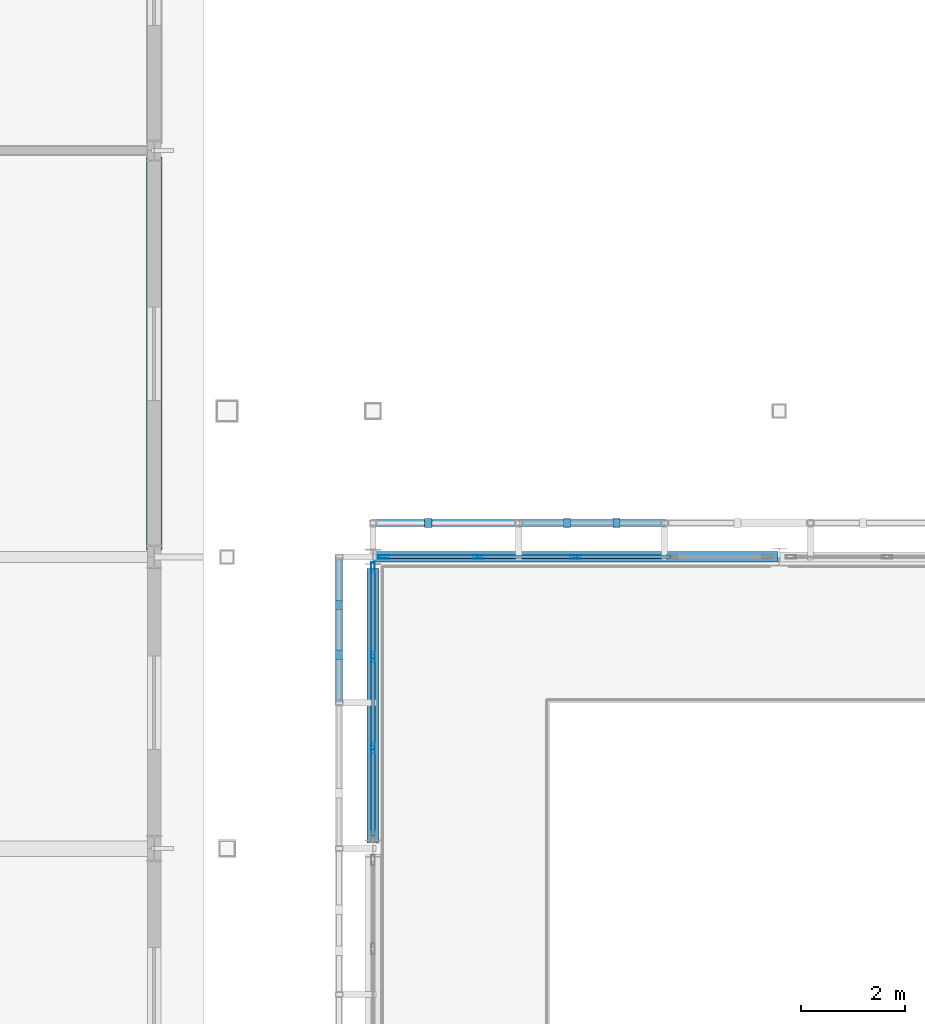
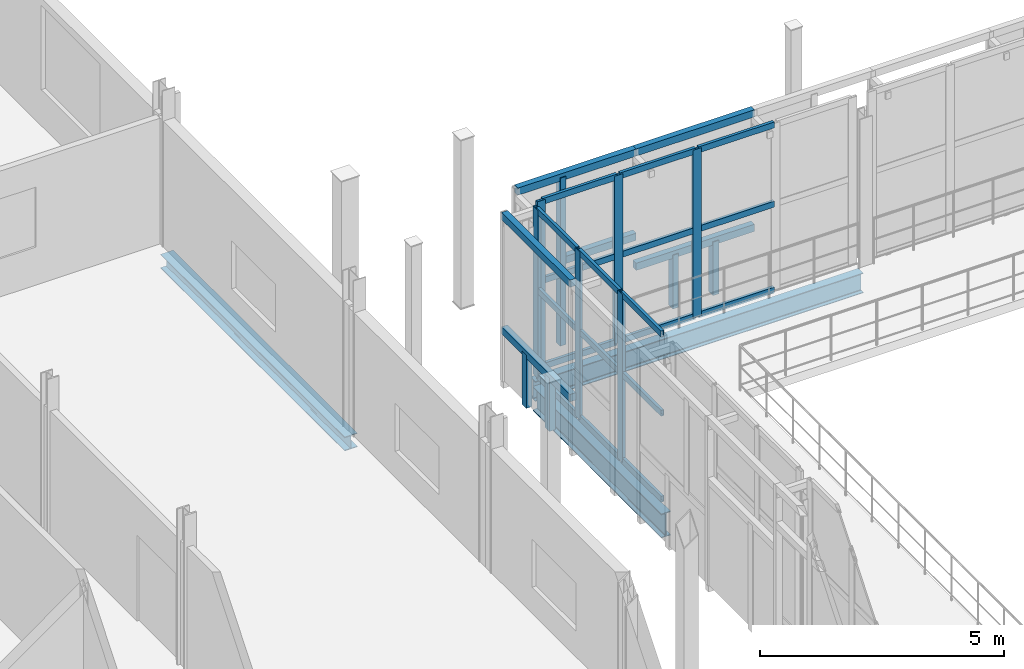
# One storey, part 31 of 78: 35 members, 3 beams, 2 elements without a shape of their own.
"""IFC4 building model written with IfcOpenShell, lengths in metres."""

from ifc_helpers import new_model, si_unit, direction, frame, origin, origin_2d, place, context, subcontext, project, spatial, rectangle, hollow_rectangle, i_section, extrude, material, layer, layer_set, material_profile, profile_set, type_object, element, aggregate, save


model = new_model("IFC4")

# Units and contexts
model_context = context("Model", 3, precision=1e-05, world=origin(), true_north=direction((0.0, 1.0)))
body_context = subcontext(model_context, "Body", "Model", "MODEL_VIEW")
ifc_project = project(units=[si_unit("LENGTHUNIT", "METRE"), si_unit("AREAUNIT", "SQUARE_METRE"), si_unit("VOLUMEUNIT", "CUBIC_METRE"), si_unit("PLANEANGLEUNIT", "RADIAN"), si_unit("MASSUNIT", "GRAM", prefix="KILO")], contexts=[model_context])

# Site, building, storey
site_placement = place(None, origin())
site = spatial("IfcSite", under=ifc_project, at=site_placement, CompositionType="ELEMENT")
building_placement = place(site_placement, origin())
building = spatial("IfcBuilding", under=site, at=building_placement, Name="Vinh Khe Railworks Police Headquarters", CompositionType="ELEMENT")
storey_placement = place(building_placement, frame((0.0, 0.0, 13.199951171875)))
storey = spatial("IfcBuildingStorey", under=building, at=storey_placement, Name="L03", CompositionType="ELEMENT", Elevation=13.199951171875)

# Members
ifc_material_1 = material(Name="Salvaged ironwood timber", Category="wood")
ifc_material_profile_1 = material_profile(ifc_material_1, rectangle(XDim=0.139892578125, YDim=0.179931640625, at=origin_2d()), Name="TIMBER 140x180")
ifc_profile_set_1 = profile_set([ifc_material_profile_1], Name="Salvaged ironwood timber")
member_type_1 = type_object("IfcMemberType", Name="MEM-QUILT-STILE", PredefinedType="CHORD", material=ifc_profile_set_1)
member_1_placement = place(storey_placement, frame((26.39990234375, 59.449951171875, 4.1201171875), z_axis=(1.0, 0.0, 0.0), x_axis=(0.0, 1.0, 0.0)))
element("IfcMember", 1, at=member_1_placement, inside=storey, type_object=member_type_1, Name="Salvaged Timber Quilt Transom N-L03-00-TOP", PredefinedType="CHORD", context=body_context, shape_type="SweptSolid", body=[
    extrude(rectangle(XDim=0.139892578125, YDim=0.179931640625, at=origin_2d()), origin(), (0.0, 0.0, 1.0), 2.800048828125),
])
member_2_placement = place(storey_placement, frame((27.464111328125, 59.449951171875, -0.079833984375), z_axis=(0.0, 0.0, 1.0), x_axis=(1.0, 0.0, 0.0)))
element("IfcMember", 2, at=member_2_placement, inside=storey, type_object=member_type_1, Name="Salvaged Timber Quilt Stile N-L03-00-V1", PredefinedType="POST", context=body_context, shape_type="SweptSolid", body=[
    extrude(rectangle(XDim=0.139892578125, YDim=0.179931640625, at=origin_2d()), origin(), (0.0, 0.0, 1.0), 4.199951171875),
])
member_3_placement = place(storey_placement, frame((27.464111328125, 59.449951171875, 2.01611328125), z_axis=(1.0, 0.0, 0.0), x_axis=(0.0, 1.0, 0.0)))
element("IfcMember", 3, at=member_3_placement, inside=storey, type_object=member_type_1, Name="Salvaged Timber Quilt Transom N-L03-00-M1", PredefinedType="CHORD", context=body_context, shape_type="SweptSolid", body=[
    extrude(rectangle(XDim=0.139892578125, YDim=0.179931640625, at=origin_2d()), origin(), (0.0, 0.0, 1.0), 1.73583984375),
])
for number, where, z_axis, x_axis, name in (
    (4, (29.199951171875, 59.449951171875, 4.1201171875), (1.0, 0.0, 0.0), (0.0, 1.0, 0.0), "Salvaged Timber Quilt Transom N-L03-01-TOP"),
    (5, (29.199951171875, 59.449951171875, 1.260009765625), (1.0, 0.0, 0.0), (0.0, 1.0, 0.0), "Salvaged Timber Quilt Transom N-L03-01-M1"),
):
    element("IfcMember", number, at=place(storey_placement, frame(where, z_axis=z_axis, x_axis=x_axis)), inside=storey, type_object=member_type_1, Name=name, PredefinedType="CHORD", context=body_context, shape_type="SweptSolid", body=[
        extrude(rectangle(XDim=0.139892578125, YDim=0.179931640625, at=origin_2d()), origin(), (0.0, 0.0, 1.0), 2.800048828125),
    ])
for number, where, z_axis, x_axis, name in (
    (6, (30.1240234375, 59.449951171875, -0.079833984375), (0.0, 0.0, 1.0), (1.0, 0.0, 0.0), "Salvaged Timber Quilt Stile N-L03-01-V1"),
    (7, (31.075927734375, 59.449951171875, -0.079833984375), (0.0, 0.0, 1.0), (1.0, 0.0, 0.0), "Salvaged Timber Quilt Stile N-L03-01-V2"),
):
    element("IfcMember", number, at=place(storey_placement, frame(where, z_axis=z_axis, x_axis=x_axis)), inside=storey, type_object=member_type_1, Name=name, PredefinedType="POST", context=body_context, shape_type="SweptSolid", body=[
        extrude(rectangle(XDim=0.139892578125, YDim=0.179931640625, at=origin_2d()), origin(), (0.0, 0.0, 1.0), 1.33984375),
    ])
for number, where, z_axis, x_axis, name in (
    (8, (25.75, 56.0, 4.1201171875), (0.0, 1.0, 0.0), (-1.0, 0.0, 0.0), "Salvaged Timber Quilt Transom W-L03-11-TOP"),
    (9, (25.75, 56.0, 1.260009765625), (0.0, 1.0, 0.0), (-1.0, 0.0, 0.0), "Salvaged Timber Quilt Transom W-L03-11-M1"),
):
    element("IfcMember", number, at=place(storey_placement, frame(where, z_axis=z_axis, x_axis=x_axis)), inside=storey, type_object=member_type_1, Name=name, PredefinedType="CHORD", context=body_context, shape_type="SweptSolid", body=[
        extrude(rectangle(XDim=0.139892578125, YDim=0.179931640625, at=origin_2d()), origin(), (0.0, 0.0, 1.0), 2.800048828125),
    ])
for number, where, z_axis, x_axis, name in (
    (10, (25.75, 56.924072265625, -0.079833984375), (0.0, 0.0, 1.0), (1.0, 0.0, 0.0), "Salvaged Timber Quilt Stile W-L03-11-V1"),
    (11, (25.75, 57.8759765625, -0.079833984375), (0.0, 0.0, 1.0), (1.0, 0.0, 0.0), "Salvaged Timber Quilt Stile W-L03-11-V2"),
):
    element("IfcMember", number, at=place(storey_placement, frame(where, z_axis=z_axis, x_axis=x_axis)), inside=storey, type_object=member_type_1, Name=name, PredefinedType="POST", context=body_context, shape_type="SweptSolid", body=[
        extrude(rectangle(XDim=0.139892578125, YDim=0.179931640625, at=origin_2d()), origin(), (0.0, 0.0, 1.0), 1.33984375),
    ])

# Curtain wall, members
ifc_material_2 = material(Name="Anodised aluminium and low-iron glass", Category="aluminium")
ifc_layer = layer(ifc_material_2, 0.179931640625)
ifc_layer_set = layer_set([ifc_layer], Name="Anodised aluminium and low-iron glass")
curtain_wall_type = type_object("IfcCurtainWallType", Name="CW-CUBE-UNIT", PredefinedType="USERDEFINED", material=ifc_layer_set)
curtain_wall_1_placement = place(storey_placement, origin())
curtain_wall_1 = element("IfcCurtainWall", 12, at=curtain_wall_1_placement, inside=storey, type_object=curtain_wall_type, Name="Entrance Hall Curtain Wall L03 N-1", ObjectType="UNITISED GLAZING", PredefinedType="USERDEFINED")
ifc_material_3 = material(Name="Anodised aluminium 6063-T6", Category="aluminium")
ifc_material_profile_2 = material_profile(ifc_material_3, hollow_rectangle(XDim=0.070068359375, YDim=0.199951171875, WallThickness=0.0048828125, at=origin_2d()), Name="CW-M 70x200x5")
ifc_profile_set_2 = profile_set([ifc_material_profile_2], Name="Anodised aluminium 6063-T6")
member_type_2 = type_object("IfcMemberType", Name="MULL-CWM-03", PredefinedType="MULLION", material=ifc_profile_set_2)
member_4_placement = place(storey_placement, frame((26.60498046875, 58.800048828125, 0.0), z_axis=(0.0, 0.0, 1.0), x_axis=(0.0, 1.0, 0.0)))
member_4 = element("IfcMember", 13, at=member_4_placement, type_object=member_type_2, Name="CW-01 mullion 1", PredefinedType="MULLION", context=body_context, shape_type="SweptSolid", body=[
    extrude(hollow_rectangle(XDim=0.070068359375, YDim=0.199951171875, WallThickness=0.0048828125, at=origin_2d()), origin(), (0.0, 0.0, 1.0), 4.199951171875),
])
member_5_placement = place(storey_placement, frame((28.4287109375, 58.800048828125, 0.0), z_axis=(0.0, 0.0, 1.0), x_axis=(0.0, 1.0, 0.0)))
member_5 = element("IfcMember", 14, at=member_5_placement, type_object=member_type_2, Name="CW-01 mullion 2", PredefinedType="MULLION", context=body_context, shape_type="SweptSolid", body=[
    extrude(hollow_rectangle(XDim=0.070068359375, YDim=0.199951171875, WallThickness=0.0048828125, at=origin_2d()), origin(), (0.0, 0.0, 1.0), 4.199951171875),
])
member_6_placement = place(storey_placement, frame((30.28759765625, 58.800048828125, 0.0), z_axis=(0.0, 0.0, 1.0), x_axis=(0.0, 1.0, 0.0)))
member_6 = element("IfcMember", 15, at=member_6_placement, type_object=member_type_2, Name="CW-01 mullion 3", PredefinedType="MULLION", context=body_context, shape_type="SweptSolid", body=[
    extrude(hollow_rectangle(XDim=0.070068359375, YDim=0.199951171875, WallThickness=0.0048828125, at=origin_2d()), origin(), (0.0, 0.0, 1.0), 4.199951171875),
])

curtain_wall_2_placement = place(storey_placement, origin())
curtain_wall_2 = element("IfcCurtainWall", 16, at=curtain_wall_2_placement, inside=storey, type_object=curtain_wall_type, Name="Entrance Hall Curtain Wall L03 W-6", ObjectType="UNITISED GLAZING", PredefinedType="USERDEFINED")
member_7_placement = place(storey_placement, frame((26.39990234375, 55.13330078125, 0.0), z_axis=(0.0, 0.0, 1.0), x_axis=(-1.0, 0.0, 0.0)))
member_7 = element("IfcMember", 17, at=member_7_placement, type_object=member_type_2, Name="CW-01 mullion 2", PredefinedType="MULLION", context=body_context, shape_type="SweptSolid", body=[
    extrude(hollow_rectangle(XDim=0.070068359375, YDim=0.199951171875, WallThickness=0.0048828125, at=origin_2d()), origin(), (0.0, 0.0, 1.0), 4.199951171875),
])
member_8_placement = place(storey_placement, frame((26.39990234375, 56.881591796875, 0.0), z_axis=(0.0, 0.0, 1.0), x_axis=(-1.0, 0.0, 0.0)))
member_8 = element("IfcMember", 18, at=member_8_placement, type_object=member_type_2, Name="CW-01 mullion 3", PredefinedType="MULLION", context=body_context, shape_type="SweptSolid", body=[
    extrude(hollow_rectangle(XDim=0.070068359375, YDim=0.199951171875, WallThickness=0.0048828125, at=origin_2d()), origin(), (0.0, 0.0, 1.0), 4.199951171875),
])
member_9_placement = place(storey_placement, frame((26.39990234375, 58.594970703125, 0.0), z_axis=(0.0, 0.0, 1.0), x_axis=(-1.0, 0.0, 0.0)))
member_9 = element("IfcMember", 19, at=member_9_placement, type_object=member_type_2, Name="CW-01 mullion 4", PredefinedType="MULLION", context=body_context, shape_type="SweptSolid", body=[
    extrude(hollow_rectangle(XDim=0.070068359375, YDim=0.199951171875, WallThickness=0.0048828125, at=origin_2d()), origin(), (0.0, 0.0, 1.0), 4.199951171875),
])

# Beams
ifc_material_4 = material(Name="Steel S355JR", Category="steel")
ifc_material_profile_3 = material_profile(ifc_material_4, i_section(OverallWidth=0.300048828125, OverallDepth=0.35009765625, WebThickness=0.010009765625, FlangeThickness=0.017578125, FilletRadius=0.027099609375, at=origin_2d()), Name="HEA 360")
ifc_profile_set_3 = profile_set([ifc_material_profile_3], Name="Steel S355JR")
beam_type_1 = type_object("IfcBeamType", Name="Steel Girder HEA 360", PredefinedType="BEAM", material=ifc_profile_set_3)
beam_1_placement = place(storey_placement, frame((22.199951171875, 58.93505859375, -0.39501953125), z_axis=(0.0, 1.0, 0.0), x_axis=(-1.0, 0.0, 0.0)))
element("IfcBeam", 20, at=beam_1_placement, inside=storey, type_object=beam_type_1, Name="Girder BM-L03-NS-SB-15-1201", PredefinedType="BEAM", context=body_context, shape_type="SweptSolid", body=[
    extrude(i_section(OverallWidth=0.300048828125, OverallDepth=0.35009765625, WebThickness=0.010009765625, FlangeThickness=0.017578125, FilletRadius=0.027099609375, at=origin_2d()), origin(), (0.0, 0.0, 1.0), 7.5400390625),
])
ifc_material_profile_4 = material_profile(ifc_material_4, i_section(OverallWidth=0.199951171875, OverallDepth=0.5, WebThickness=0.01025390625, FlangeThickness=0.01611328125, FilletRadius=0.02099609375, at=origin_2d()), Name="IPE 500")
ifc_profile_set_4 = profile_set([ifc_material_profile_4], Name="Steel S355JR")
beam_type_2 = type_object("IfcBeamType", Name="Steel Girder IPE 500", PredefinedType="BEAM", material=ifc_profile_set_4)
beam_2_placement = place(storey_placement, frame((26.419921875, 58.800048828125, -0.469970703125), z_axis=(1.0, 0.0, 0.0), x_axis=(0.0, 1.0, 0.0)))
element("IfcBeam", 21, at=beam_2_placement, inside=storey, type_object=beam_type_2, Name="Girder BM-L03-EW-SB-19-1061", PredefinedType="BEAM", context=body_context, shape_type="SweptSolid", body=[
    extrude(i_section(OverallWidth=0.199951171875, OverallDepth=0.5, WebThickness=0.01025390625, FlangeThickness=0.01611328125, FilletRadius=0.02099609375, at=origin_2d()), origin(), (0.0, 0.0, 1.0), 7.760009765625),
])
ifc_material_profile_5 = material_profile(ifc_material_4, i_section(OverallWidth=0.219970703125, OverallDepth=0.60009765625, WebThickness=0.011962890625, FlangeThickness=0.01904296875, FilletRadius=0.02392578125, at=origin_2d()), Name="IPE 600")
ifc_profile_set_5 = profile_set([ifc_material_profile_5], Name="Steel S355JR")
beam_type_3 = type_object("IfcBeamType", Name="Steel Girder IPE 600", PredefinedType="BEAM", material=ifc_profile_set_5)
beam_3_placement = place(storey_placement, frame((26.39990234375, 53.31005859375, -0.52001953125), z_axis=(0.0, 1.0, 0.0), x_axis=(-1.0, 0.0, 0.0)))
element("IfcBeam", 22, at=beam_3_placement, inside=storey, type_object=beam_type_3, Name="Girder BM-L03-NS-SB-17-1215", PredefinedType="BEAM", context=body_context, shape_type="SweptSolid", body=[
    extrude(i_section(OverallWidth=0.219970703125, OverallDepth=0.60009765625, WebThickness=0.011962890625, FlangeThickness=0.01904296875, FilletRadius=0.02392578125, at=origin_2d()), origin(), (0.0, 0.0, 1.0), 5.264892578125),
])

# Member
ifc_material_profile_6 = material_profile(ifc_material_3, hollow_rectangle(XDim=0.070068359375, YDim=0.14990234375, WallThickness=0.0048828125, at=origin_2d()), Name="CW-T 70x150x5")
ifc_profile_set_6 = profile_set([ifc_material_profile_6], Name="Anodised aluminium 6063-T6")
member_type_3 = type_object("IfcMemberType", Name="TRAN-CWT-03", PredefinedType="USERDEFINED", material=ifc_profile_set_6)
member_10_placement = place(storey_placement, frame((26.639892578125, 58.800048828125, 0.03515625), z_axis=(1.0, 0.0, 0.0), x_axis=(0.0, 1.0, 0.0)))
member_10 = element("IfcMember", 23, at=member_10_placement, type_object=member_type_3, Name="CW-01 transom 1.1", ObjectType="TRANSOM", PredefinedType="USERDEFINED", context=body_context, shape_type="SweptSolid", body=[
    extrude(hollow_rectangle(XDim=0.070068359375, YDim=0.14990234375, WallThickness=0.0048828125, at=origin_2d()), origin(), (0.0, 0.0, 1.0), 1.75390625),
])

member_11_placement = place(storey_placement, frame((26.639892578125, 58.800048828125, 2.18408203125), z_axis=(1.0, 0.0, 0.0), x_axis=(0.0, 1.0, 0.0)))
member_11 = element("IfcMember", 24, at=member_11_placement, type_object=member_type_3, Name="CW-01 transom 1.2", ObjectType="TRANSOM", PredefinedType="USERDEFINED", context=body_context, shape_type="SweptSolid", body=[
    extrude(hollow_rectangle(XDim=0.070068359375, YDim=0.14990234375, WallThickness=0.0048828125, at=origin_2d()), origin(), (0.0, 0.0, 1.0), 1.75390625),
])

member_12_placement = place(storey_placement, frame((26.639892578125, 58.800048828125, 4.1650390625), z_axis=(1.0, 0.0, 0.0), x_axis=(0.0, 1.0, 0.0)))
member_12 = element("IfcMember", 25, at=member_12_placement, type_object=member_type_3, Name="CW-01 transom 1.3", ObjectType="TRANSOM", PredefinedType="USERDEFINED", context=body_context, shape_type="SweptSolid", body=[
    extrude(hollow_rectangle(XDim=0.070068359375, YDim=0.14990234375, WallThickness=0.0048828125, at=origin_2d()), origin(), (0.0, 0.0, 1.0), 1.75390625),
])

member_13_placement = place(storey_placement, frame((28.4638671875, 58.800048828125, 0.03515625), z_axis=(1.0, 0.0, 0.0), x_axis=(0.0, 1.0, 0.0)))
member_13 = element("IfcMember", 26, at=member_13_placement, type_object=member_type_3, Name="CW-01 transom 2.1", ObjectType="TRANSOM", PredefinedType="USERDEFINED", context=body_context, shape_type="SweptSolid", body=[
    extrude(hollow_rectangle(XDim=0.070068359375, YDim=0.14990234375, WallThickness=0.0048828125, at=origin_2d()), origin(), (0.0, 0.0, 1.0), 1.78857421875),
])

member_14_placement = place(storey_placement, frame((28.4638671875, 58.800048828125, 2.18408203125), z_axis=(1.0, 0.0, 0.0), x_axis=(0.0, 1.0, 0.0)))
member_14 = element("IfcMember", 27, at=member_14_placement, type_object=member_type_3, Name="CW-01 transom 2.2", ObjectType="TRANSOM", PredefinedType="USERDEFINED", context=body_context, shape_type="SweptSolid", body=[
    extrude(hollow_rectangle(XDim=0.070068359375, YDim=0.14990234375, WallThickness=0.0048828125, at=origin_2d()), origin(), (0.0, 0.0, 1.0), 1.78857421875),
])

member_15_placement = place(storey_placement, frame((28.4638671875, 58.800048828125, 4.1650390625), z_axis=(1.0, 0.0, 0.0), x_axis=(0.0, 1.0, 0.0)))
member_15 = element("IfcMember", 28, at=member_15_placement, type_object=member_type_3, Name="CW-01 transom 2.3", ObjectType="TRANSOM", PredefinedType="USERDEFINED", context=body_context, shape_type="SweptSolid", body=[
    extrude(hollow_rectangle(XDim=0.070068359375, YDim=0.14990234375, WallThickness=0.0048828125, at=origin_2d()), origin(), (0.0, 0.0, 1.0), 1.78857421875),
])

member_16_placement = place(storey_placement, frame((30.322509765625, 58.800048828125, 0.03515625), z_axis=(1.0, 0.0, 0.0), x_axis=(0.0, 1.0, 0.0)))
member_16 = element("IfcMember", 29, at=member_16_placement, type_object=member_type_3, Name="CW-01 transom 3.1", ObjectType="TRANSOM", PredefinedType="USERDEFINED", context=body_context, shape_type="SweptSolid", body=[
    extrude(hollow_rectangle(XDim=0.070068359375, YDim=0.14990234375, WallThickness=0.0048828125, at=origin_2d()), origin(), (0.0, 0.0, 1.0), 1.788818359375),
])

member_17_placement = place(storey_placement, frame((30.322509765625, 58.800048828125, 2.18408203125), z_axis=(1.0, 0.0, 0.0), x_axis=(0.0, 1.0, 0.0)))
member_17 = element("IfcMember", 30, at=member_17_placement, type_object=member_type_3, Name="CW-01 transom 3.2", ObjectType="TRANSOM", PredefinedType="USERDEFINED", context=body_context, shape_type="SweptSolid", body=[
    extrude(hollow_rectangle(XDim=0.070068359375, YDim=0.14990234375, WallThickness=0.0048828125, at=origin_2d()), origin(), (0.0, 0.0, 1.0), 1.788818359375),
])

member_18_placement = place(storey_placement, frame((30.322509765625, 58.800048828125, 4.1650390625), z_axis=(1.0, 0.0, 0.0), x_axis=(0.0, 1.0, 0.0)))
member_18 = element("IfcMember", 31, at=member_18_placement, type_object=member_type_3, Name="CW-01 transom 3.3", ObjectType="TRANSOM", PredefinedType="USERDEFINED", context=body_context, shape_type="SweptSolid", body=[
    extrude(hollow_rectangle(XDim=0.070068359375, YDim=0.14990234375, WallThickness=0.0048828125, at=origin_2d()), origin(), (0.0, 0.0, 1.0), 1.788818359375),
])

aggregate(curtain_wall_1, [member_4, member_5, member_6, member_10, member_11, member_12, member_13, member_14, member_15, member_16, member_17, member_18])

member_19_placement = place(storey_placement, frame((26.39990234375, 53.455078125, 0.03515625), z_axis=(0.0, 1.0, 0.0), x_axis=(-1.0, 0.0, 0.0)))
member_19 = element("IfcMember", 32, at=member_19_placement, type_object=member_type_3, Name="CW-01 transom 1.1", ObjectType="TRANSOM", PredefinedType="USERDEFINED", context=body_context, shape_type="SweptSolid", body=[
    extrude(hollow_rectangle(XDim=0.070068359375, YDim=0.14990234375, WallThickness=0.0048828125, at=origin_2d()), origin(), (0.0, 0.0, 1.0), 1.643310546875),
])

member_20_placement = place(storey_placement, frame((26.39990234375, 53.455078125, 2.18408203125), z_axis=(0.0, 1.0, 0.0), x_axis=(-1.0, 0.0, 0.0)))
member_20 = element("IfcMember", 33, at=member_20_placement, type_object=member_type_3, Name="CW-01 transom 1.2", ObjectType="TRANSOM", PredefinedType="USERDEFINED", context=body_context, shape_type="SweptSolid", body=[
    extrude(hollow_rectangle(XDim=0.070068359375, YDim=0.14990234375, WallThickness=0.0048828125, at=origin_2d()), origin(), (0.0, 0.0, 1.0), 1.643310546875),
])

member_21_placement = place(storey_placement, frame((26.39990234375, 53.455078125, 4.1650390625), z_axis=(0.0, 1.0, 0.0), x_axis=(-1.0, 0.0, 0.0)))
member_21 = element("IfcMember", 34, at=member_21_placement, type_object=member_type_3, Name="CW-01 transom 1.3", ObjectType="TRANSOM", PredefinedType="USERDEFINED", context=body_context, shape_type="SweptSolid", body=[
    extrude(hollow_rectangle(XDim=0.070068359375, YDim=0.14990234375, WallThickness=0.0048828125, at=origin_2d()), origin(), (0.0, 0.0, 1.0), 1.643310546875),
])

member_22_placement = place(storey_placement, frame((26.39990234375, 55.168212890625, 0.03515625), z_axis=(0.0, 1.0, 0.0), x_axis=(-1.0, 0.0, 0.0)))
member_22 = element("IfcMember", 35, at=member_22_placement, type_object=member_type_3, Name="CW-01 transom 2.1", ObjectType="TRANSOM", PredefinedType="USERDEFINED", context=body_context, shape_type="SweptSolid", body=[
    extrude(hollow_rectangle(XDim=0.070068359375, YDim=0.14990234375, WallThickness=0.0048828125, at=origin_2d()), origin(), (0.0, 0.0, 1.0), 1.678466796875),
])

member_23_placement = place(storey_placement, frame((26.39990234375, 55.168212890625, 2.18408203125), z_axis=(0.0, 1.0, 0.0), x_axis=(-1.0, 0.0, 0.0)))
member_23 = element("IfcMember", 36, at=member_23_placement, type_object=member_type_3, Name="CW-01 transom 2.2", ObjectType="TRANSOM", PredefinedType="USERDEFINED", context=body_context, shape_type="SweptSolid", body=[
    extrude(hollow_rectangle(XDim=0.070068359375, YDim=0.14990234375, WallThickness=0.0048828125, at=origin_2d()), origin(), (0.0, 0.0, 1.0), 1.678466796875),
])

member_24_placement = place(storey_placement, frame((26.39990234375, 55.168212890625, 4.1650390625), z_axis=(0.0, 1.0, 0.0), x_axis=(-1.0, 0.0, 0.0)))
member_24 = element("IfcMember", 37, at=member_24_placement, type_object=member_type_3, Name="CW-01 transom 2.3", ObjectType="TRANSOM", PredefinedType="USERDEFINED", context=body_context, shape_type="SweptSolid", body=[
    extrude(hollow_rectangle(XDim=0.070068359375, YDim=0.14990234375, WallThickness=0.0048828125, at=origin_2d()), origin(), (0.0, 0.0, 1.0), 1.678466796875),
])

member_25_placement = place(storey_placement, frame((26.39990234375, 56.916748046875, 0.03515625), z_axis=(0.0, 1.0, 0.0), x_axis=(-1.0, 0.0, 0.0)))
member_25 = element("IfcMember", 38, at=member_25_placement, type_object=member_type_3, Name="CW-01 transom 3.1", ObjectType="TRANSOM", PredefinedType="USERDEFINED", context=body_context, shape_type="SweptSolid", body=[
    extrude(hollow_rectangle(XDim=0.070068359375, YDim=0.14990234375, WallThickness=0.0048828125, at=origin_2d()), origin(), (0.0, 0.0, 1.0), 1.643310546875),
])

member_26_placement = place(storey_placement, frame((26.39990234375, 56.916748046875, 2.18408203125), z_axis=(0.0, 1.0, 0.0), x_axis=(-1.0, 0.0, 0.0)))
member_26 = element("IfcMember", 39, at=member_26_placement, type_object=member_type_3, Name="CW-01 transom 3.2", ObjectType="TRANSOM", PredefinedType="USERDEFINED", context=body_context, shape_type="SweptSolid", body=[
    extrude(hollow_rectangle(XDim=0.070068359375, YDim=0.14990234375, WallThickness=0.0048828125, at=origin_2d()), origin(), (0.0, 0.0, 1.0), 1.643310546875),
])

member_27_placement = place(storey_placement, frame((26.39990234375, 56.916748046875, 4.1650390625), z_axis=(0.0, 1.0, 0.0), x_axis=(-1.0, 0.0, 0.0)))
member_27 = element("IfcMember", 40, at=member_27_placement, type_object=member_type_3, Name="CW-01 transom 3.3", ObjectType="TRANSOM", PredefinedType="USERDEFINED", context=body_context, shape_type="SweptSolid", body=[
    extrude(hollow_rectangle(XDim=0.070068359375, YDim=0.14990234375, WallThickness=0.0048828125, at=origin_2d()), origin(), (0.0, 0.0, 1.0), 1.643310546875),
])

aggregate(curtain_wall_2, [member_7, member_8, member_9, member_19, member_20, member_21, member_22, member_23, member_24, member_25, member_26, member_27])

save(model, "model.ifc")
